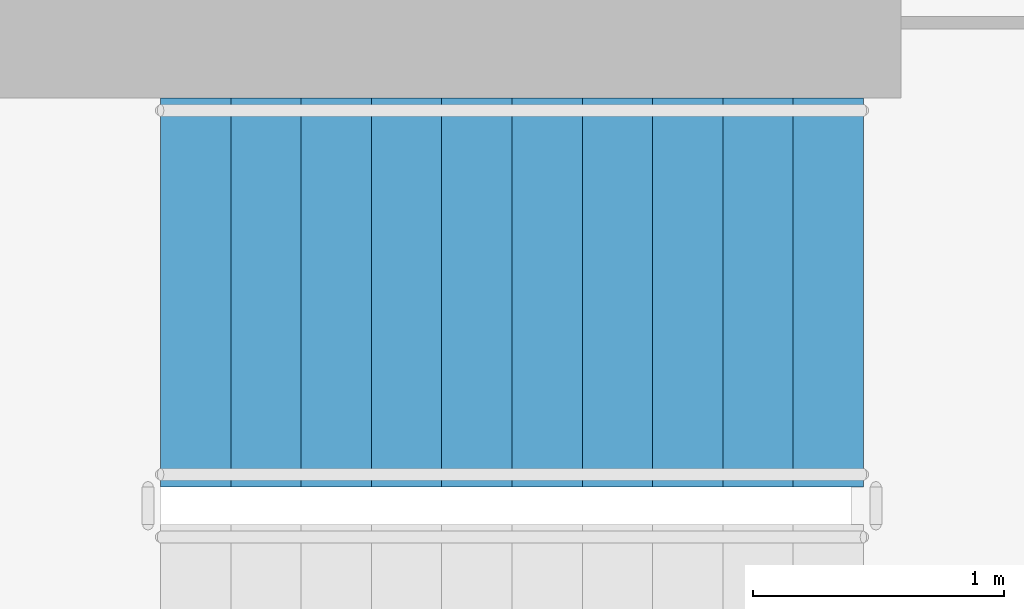
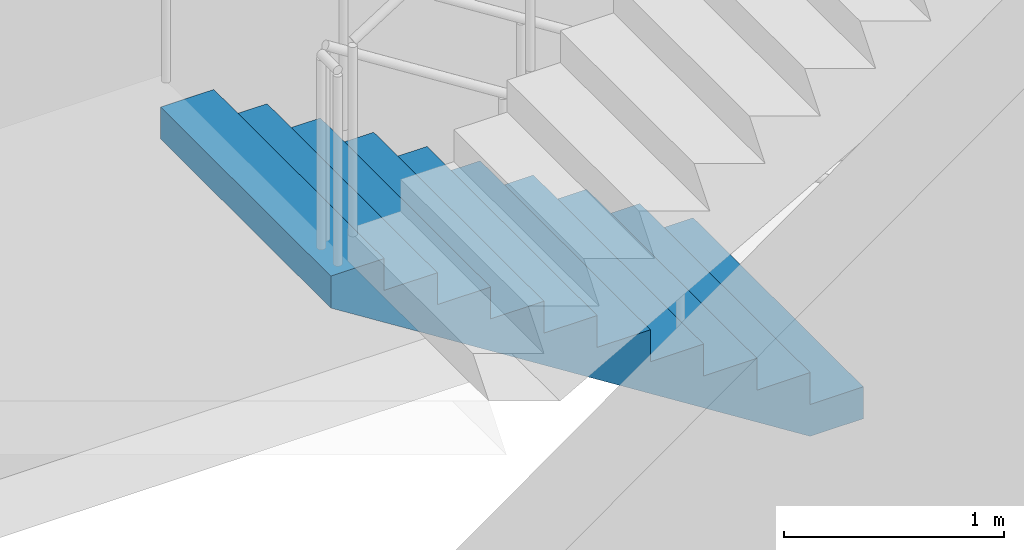
# One storey, part 7 of 10: 1 stair flight, 1 element without a shape of its own.
"""IFC4 building model written with IfcOpenShell, lengths in metres."""

from ifc_helpers import new_model, si_unit, direction, frame, origin, place, context, subcontext, project, spatial, polyline, outline, extrude, material, type_object, element, aggregate, save


model = new_model("IFC4")

# Units and contexts
model_context = context("Model", 3, precision=1e-05, world=origin(), true_north=direction((0.0, 1.0)))
body_context = subcontext(model_context, "Body", "Model", "MODEL_VIEW")
ifc_project = project(units=[si_unit("LENGTHUNIT", "METRE"), si_unit("AREAUNIT", "SQUARE_METRE"), si_unit("VOLUMEUNIT", "CUBIC_METRE"), si_unit("PLANEANGLEUNIT", "RADIAN"), si_unit("MASSUNIT", "GRAM", prefix="KILO")], contexts=[model_context])

# Site, building, storey
site_placement = place(None, origin())
site = spatial("IfcSite", under=ifc_project, at=site_placement, CompositionType="ELEMENT")
building_placement = place(site_placement, origin())
building = spatial("IfcBuilding", under=site, at=building_placement, Name="Dhurran Vertical Campus", CompositionType="ELEMENT")
storey_placement = place(building_placement, frame((0.0, 0.0, 243.0)))
storey = spatial("IfcBuildingStorey", under=building, at=storey_placement, Name="L60", CompositionType="ELEMENT", Elevation=243.0)

# Stair, stair flight
ifc_material_1 = material(Name="Concrete C40/50", Category="concrete")
stair_type = type_object("IfcStairType", Name="co-ST-CORE", PredefinedType="HALF_TURN_STAIR", material=ifc_material_1)
stair_placement = place(storey_placement, origin())
stair = element("IfcStair", 1, at=stair_placement, inside=storey, type_object=stair_type, Name="L60 Protected exit stair ST2", PredefinedType="HALF_TURN_STAIR")
ifc_material_2 = material(Name="Concrete C40/50", Category="concrete")
stair_flight_type = type_object("IfcStairFlightType", Name="co-SFL-RC", PredefinedType="STRAIGHT", material=ifc_material_2)
stair_flight_placement = place(storey_placement, frame((11.10009765625, 9.875, 0.0), z_axis=(0.0, 0.0, 1.0), x_axis=(-1.0, 0.0, 0.0)))
stair_flight = element("IfcStairFlight", 2, at=stair_flight_placement, type_object=stair_flight_type, Name="ST2 flight 1", NumberOfRisers=11, NumberOfTreads=10, PredefinedType="STRAIGHT", RiserHeight=0.177272727, TreadLength=0.28, context=body_context, shape_type="SweptSolid", body=[
    extrude(outline(polyline([(0.0, 0.0), (0.0, 0.17724609375), (0.280029296875, 0.17724609375), (0.280029296875, 0.3544921875), (0.56005859375, 0.3544921875), (0.56005859375, 0.53173828125), (0.840087890625, 0.53173828125), (0.840087890625, 0.708984375), (1.1201171875, 0.708984375), (1.1201171875, 0.886474609375), (1.39990234375, 0.886474609375), (1.39990234375, 1.063720703125), (1.679931640625, 1.063720703125), (1.679931640625, 1.240966796875), (1.9599609375, 1.240966796875), (1.9599609375, 1.418212890625), (2.239990234375, 1.418212890625), (2.239990234375, 1.595458984375), (2.52001953125, 1.595458984375), (2.52001953125, 1.772705078125), (2.800048828125, 1.772705078125), (2.800048828125, 1.949951171875), (2.800048828125, 1.59521484375), (0.2802734375, 0.0), (0.0, 0.0)])), frame((0.0, 0.77490234375, 0.0), z_axis=(0.0, -1.0, 0.0), x_axis=(1.0, 0.0, 0.0)), (0.0, 0.0, 1.0), 1.550048828125),
])
aggregate(stair, [stair_flight])

save(model, "model.ifc")
